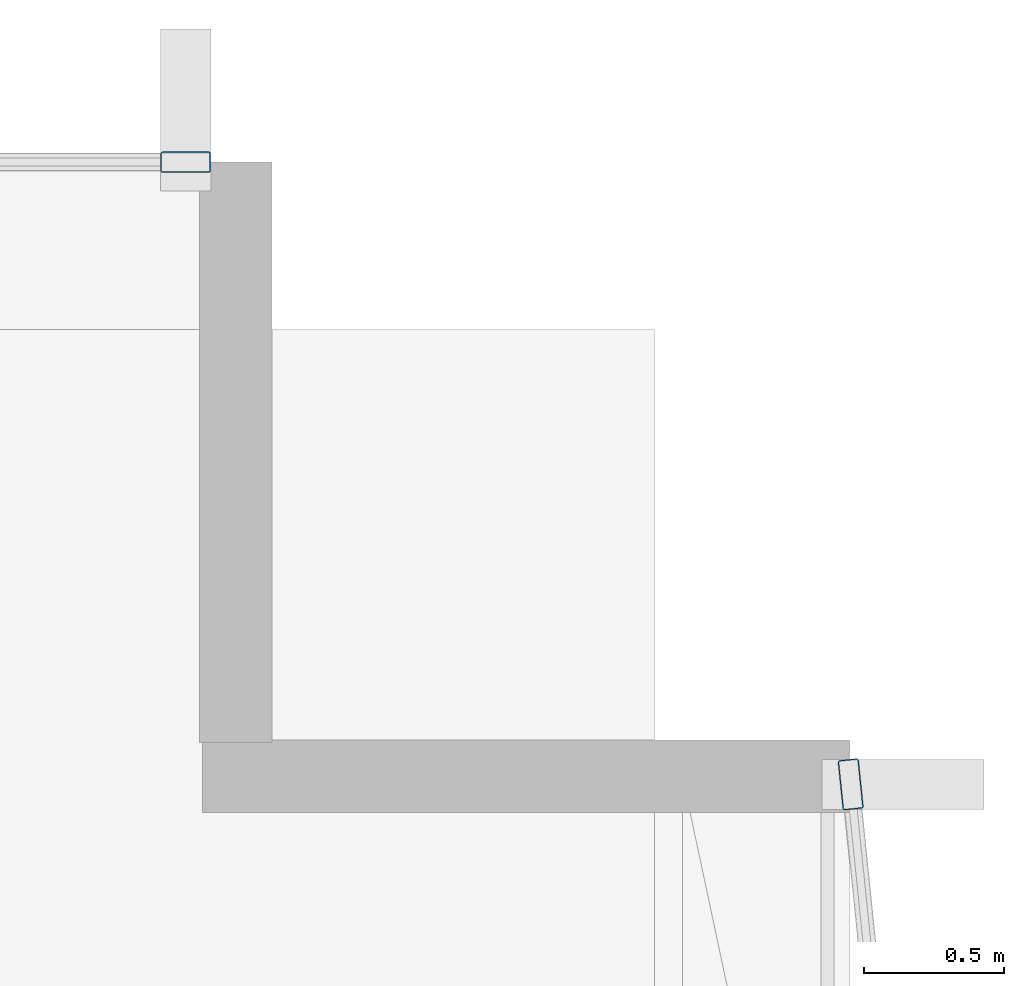
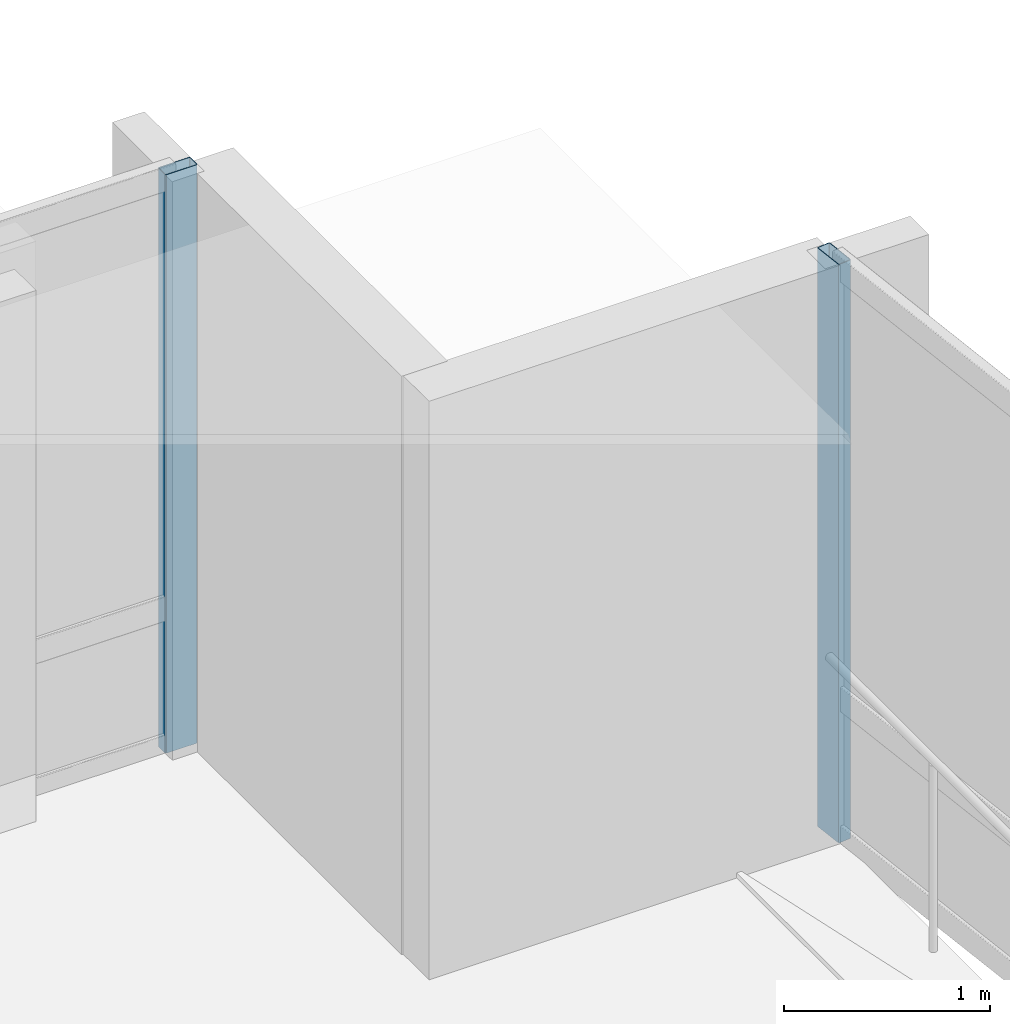
# One storey, part 17 of 34: 2 members, 2 elements without a shape of their own.
"""IFC4 building model written with IfcOpenShell, lengths in metres."""

from ifc_helpers import new_model, si_unit, direction, frame, origin, origin_2d, place, context, subcontext, project, spatial, hollow_rectangle, extrude, material, layer, layer_set, material_profile, profile_set, type_object, element, aggregate, save


model = new_model("IFC4")

# Units and contexts
model_context = context("Model", 3, precision=1e-05, world=origin(), true_north=direction((0.0, 1.0)))
body_context = subcontext(model_context, "Body", "Model", "MODEL_VIEW")
ifc_project = project(units=[si_unit("LENGTHUNIT", "METRE"), si_unit("AREAUNIT", "SQUARE_METRE"), si_unit("VOLUMEUNIT", "CUBIC_METRE"), si_unit("PLANEANGLEUNIT", "RADIAN"), si_unit("MASSUNIT", "GRAM", prefix="KILO")], contexts=[model_context])

# Site, building, storey
site_placement = place(None, origin())
site = spatial("IfcSite", under=ifc_project, at=site_placement, CompositionType="ELEMENT")
building_placement = place(site_placement, origin())
building = spatial("IfcBuilding", under=site, at=building_placement, Name="Solvaryn Broadcast Tower", CompositionType="ELEMENT")
storey_placement = place(building_placement, frame((0.0, 0.0, 36.0)))
storey = spatial("IfcBuildingStorey", under=building, at=storey_placement, Name="L07", CompositionType="ELEMENT", Elevation=36.0)

# Curtain wall, member
ifc_material_1 = material(Name="Aluminium and Terracotta Unitised Curtain Wall", Category="masonry")
ifc_layer = layer(ifc_material_1, 0.199951171875)
ifc_layer_set = layer_set([ifc_layer], Name="CW-SYS2-LOWMID")
curtain_wall_type = type_object("IfcCurtainWallType", Name="CW-SYS2-LOWMID", PredefinedType="NOTDEFINED", material=ifc_layer_set)
curtain_wall_1_placement = place(storey_placement, origin())
curtain_wall_1 = element("IfcCurtainWall", 1, at=curtain_wall_1_placement, inside=storey, type_object=curtain_wall_type, Name="L07 Curtain Wall ET1", PredefinedType="NOTDEFINED")
ifc_material_2 = material(Name="Anodised Aluminium 6063-T6", Category="aluminium")
ifc_material_profile = material_profile(ifc_material_2, hollow_rectangle(XDim=0.074951171875, YDim=0.179931640625, WallThickness=0.00390625, InnerFilletRadius=0.00390625, OuterFilletRadius=0.008056640625, at=origin_2d()))
ifc_profile_set = profile_set([ifc_material_profile], Name="Anodised Aluminium 6063-T6")
member_type = type_object("IfcMemberType", Name="CW-MUL-180", PredefinedType="MULLION", material=ifc_profile_set)
member_1_placement = place(storey_placement, frame((63.003173828125, 24.770263671875, 0.0), z_axis=(0.0, 0.0, 1.0), x_axis=(0.99474329889, 0.10240004548, 0.0)))
member_1 = element("IfcMember", 2, at=member_1_placement, type_object=member_type, Name="CWS2 mullion 1", PredefinedType="MULLION", context=body_context, shape_type="SweptSolid", body=[
    extrude(hollow_rectangle(XDim=0.074951171875, YDim=0.179931640625, WallThickness=0.00390625, InnerFilletRadius=0.00390625, OuterFilletRadius=0.008056640625, at=origin_2d()), origin(), (0.0, 0.0, 1.0), 3.419921875),
])
aggregate(curtain_wall_1, [member_1])

curtain_wall_2_placement = place(storey_placement, origin())
curtain_wall_2 = element("IfcCurtainWall", 3, at=curtain_wall_2_placement, inside=storey, type_object=curtain_wall_type, Name="L07 Curtain Wall IH", PredefinedType="NOTDEFINED")
member_2_placement = place(storey_placement, frame((60.6201171875, 27.0, 0.0), z_axis=(0.0, 0.0, 1.0), x_axis=(0.0, 1.0, 0.0)))
member_2 = element("IfcMember", 4, at=member_2_placement, type_object=member_type, Name="CWS2 mullion 2", PredefinedType="MULLION", context=body_context, shape_type="SweptSolid", body=[
    extrude(hollow_rectangle(XDim=0.074951171875, YDim=0.179931640625, WallThickness=0.00390625, InnerFilletRadius=0.00390625, OuterFilletRadius=0.008056640625, at=origin_2d()), origin(), (0.0, 0.0, 1.0), 3.419921875),
])
aggregate(curtain_wall_2, [member_2])

save(model, "model.ifc")
